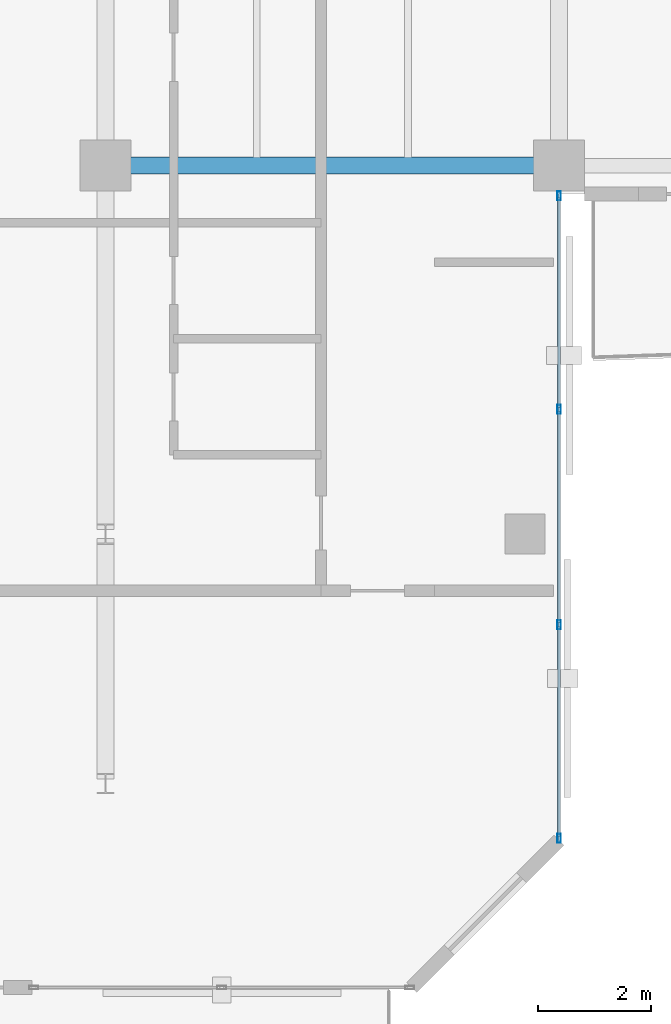
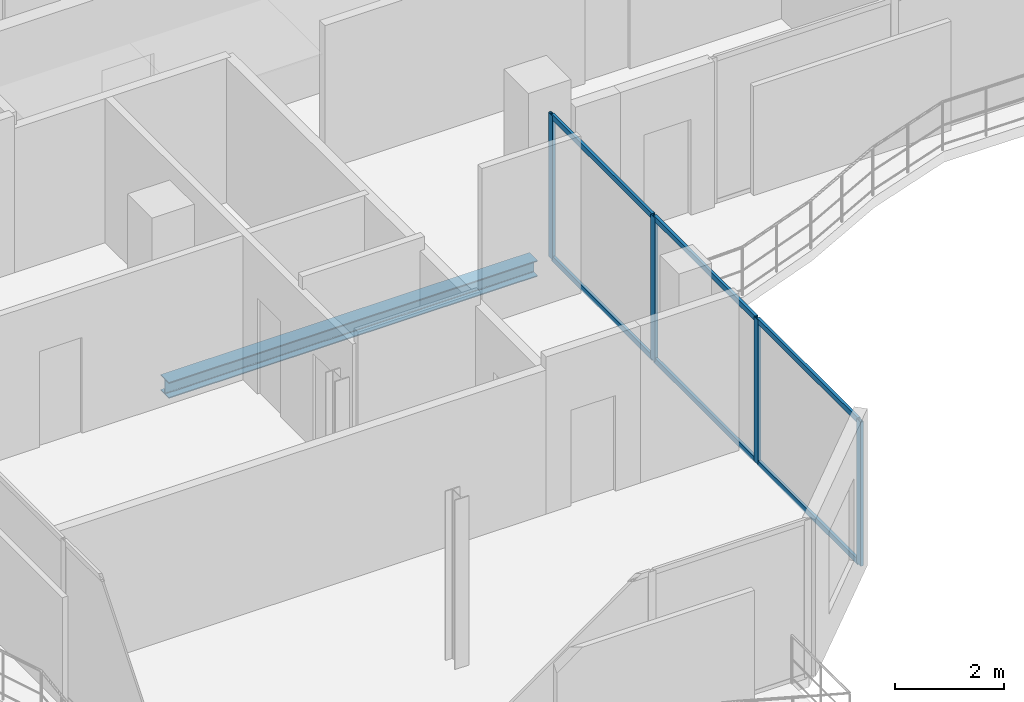
# One storey, part 4 of 17: 10 members, 1 beam, 1 element without a shape of its own.
"""IFC4 building model written with IfcOpenShell, lengths in metres."""

import ifcopenshell
import ifcopenshell.guid

model = None  # the IFC model being written
_history = None  # IfcOwnerHistory: only IFC2X3 demands one
_inside = {}  # id of a spatial element -> (the spatial element, [elements in it])
_under = {}  # id of a project, library or spatial element -> (it, [spatial elements below it])
_declared = {}  # id of a project -> (the project, [libraries it declares])
_typed = {}  # id of a type object -> (the type object, [elements of that type])
_made_of = {}  # id of a material, layer set ... -> (it, [elements and type objects made of it])


def new_model(schema):
    """Start an empty IFC model of exactly this schema.

    Asked for "IFC4X3", IfcOpenShell would pick the latest addendum, in which some entities
    have other attributes; the version numbers below select the first issue.
    IFC2X3 requires an IfcOwnerHistory on every rooted entity: one is made here for all.
    """
    global model, _history
    if schema == "IFC4X3":
        model = ifcopenshell.file(schema_version=(4, 3, 0, 0))
    else:
        model = ifcopenshell.file(schema=schema)
    _inside.clear()
    _under.clear()
    _declared.clear()
    _typed.clear()
    _made_of.clear()
    _history = None
    if model.schema == "IFC2X3":
        org = make("IfcOrganization", Name="unknown")
        user = make(
            "IfcPersonAndOrganization",
            ThePerson=make("IfcPerson", FamilyName="unknown"),
            TheOrganization=org,
        )
        app = make(
            "IfcApplication",
            ApplicationDeveloper=org,
            Version="unknown",
            ApplicationFullName="unknown",
            ApplicationIdentifier="unknown",
        )
        _history = make(
            "IfcOwnerHistory",
            OwningUser=user,
            OwningApplication=app,
            ChangeAction="ADDED",
            CreationDate=0,
        )
    return model


def make(cls, **values):
    """One entity of the class cls with the attributes given. An attribute that is None is left unset."""
    return model.create_entity(
        cls, **{name: value for name, value in values.items() if value is not None}
    )


def rooted(cls, **values):
    """An entity with a GlobalId (a new one), such as an element, a storey or a relation."""
    return make(cls, GlobalId=ifcopenshell.guid.new(), OwnerHistory=_history, **values)


def si_unit(unit_type, name, prefix=None):
    """IfcSIUnit, for example si_unit("LENGTHUNIT", "METRE", prefix="MILLI")."""
    return make("IfcSIUnit", UnitType=unit_type, Prefix=prefix, Name=name)


def assignment(units):
    """IfcUnitAssignment: the units of a project."""
    return None if units is None else make("IfcUnitAssignment", Units=units)


def point(xyz):
    """IfcCartesianPoint."""
    return None if xyz is None else make("IfcCartesianPoint", Coordinates=xyz)


def direction(xyz):
    """IfcDirection."""
    return None if xyz is None else make("IfcDirection", DirectionRatios=xyz)


def frame(location, z_axis=None, x_axis=None):
    """IfcAxis2Placement3D, a coordinate frame: its origin and axes. An axis left out is left unset."""
    return make(
        "IfcAxis2Placement3D",
        Location=point(location),
        Axis=direction(z_axis),
        RefDirection=direction(x_axis),
    )


def frame_2d(location, x_axis=None):
    """IfcAxis2Placement2D, a coordinate frame in the plane: its origin and x axis."""
    return make(
        "IfcAxis2Placement2D", Location=point(location), RefDirection=direction(x_axis)
    )


def origin():
    """The frame at (0, 0, 0) with its axes left unset."""
    return frame((0.0, 0.0, 0.0))


def origin_2d():
    """The frame at (0, 0) in the plane with its x axis left unset."""
    return frame_2d((0.0, 0.0))


def place(relative_to, where):
    """IfcLocalPlacement: puts the frame where relative to a parent placement (None: the world)."""
    return make(
        "IfcLocalPlacement", PlacementRelTo=relative_to, RelativePlacement=where
    )


def context(
    kind, dimensions, precision=None, world=None, true_north=None, identifier=None
):
    """IfcGeometricRepresentationContext, for example the 3D "Model" context."""
    return make(
        "IfcGeometricRepresentationContext",
        ContextIdentifier=identifier,
        ContextType=kind,
        CoordinateSpaceDimension=dimensions,
        Precision=precision,
        WorldCoordinateSystem=world,
        TrueNorth=true_north,
    )


def subcontext(parent, identifier, kind, view, scale=None):
    """IfcGeometricRepresentationSubContext, for example "Body" below "Model"."""
    return make(
        "IfcGeometricRepresentationSubContext",
        ContextIdentifier=identifier,
        ContextType=kind,
        ParentContext=parent,
        TargetScale=scale,
        TargetView=view,
    )


def project(units=None, contexts=None):
    """IfcProject with its units and contexts."""
    return rooted(
        "IfcProject",
        Name="project",
        RepresentationContexts=contexts,
        UnitsInContext=assignment(units),
    )


def spatial(cls, under=None, at=None, **own):
    """A site, building, storey or space (cls), placed at a placement, below another one or the project."""
    s = rooted(cls, ObjectPlacement=at, **own)
    if under is not None:
        _under.setdefault(under.id(), (under, []))[1].append(s)
    return s


def profile(cls, at=None, kind="AREA", **sizes):
    """A parametric profile (cls). Its sizes go by their IFC names, for example OverallWidth=200.0."""
    return make(cls, ProfileType=kind, Position=at, **sizes)


def hollow_rectangle(**sizes):
    """IfcRectangleHollowProfileDef."""
    return profile("IfcRectangleHollowProfileDef", **sizes)


def i_section(**sizes):
    """IfcIShapeProfileDef."""
    return profile("IfcIShapeProfileDef", **sizes)


def extrude(swept, where, along, depth):
    """IfcExtrudedAreaSolid: the profile swept, set in the frame where, extruded along a direction by depth."""
    return make(
        "IfcExtrudedAreaSolid",
        SweptArea=swept,
        Position=where,
        ExtrudedDirection=direction(along),
        Depth=depth,
    )


def shape(context_of_items, identifier, shape_type, items):
    """IfcShapeRepresentation: the items that make up one representation, for example the "Body"."""
    return make(
        "IfcShapeRepresentation",
        ContextOfItems=context_of_items,
        RepresentationIdentifier=identifier,
        RepresentationType=shape_type,
        Items=items,
    )


def material(Name=None, Category=None):
    """IfcMaterial."""
    return make("IfcMaterial", Name=Name, Category=Category)


def layer(
    of_material, thickness, ventilated=None, Name=None, Category=None, Priority=None
):
    """IfcMaterialLayer: one layer of a wall or slab, of a material (None: an air gap)."""
    return make(
        "IfcMaterialLayer",
        Material=of_material,
        LayerThickness=thickness,
        IsVentilated=ventilated,
        Name=Name,
        Category=Category,
        Priority=Priority,
    )


def layer_set(layers, Name=None):
    """IfcMaterialLayerSet."""
    return make("IfcMaterialLayerSet", MaterialLayers=layers, LayerSetName=Name)


def material_profile(
    of_material, cross_section, Name=None, Category=None, Priority=None
):
    """IfcMaterialProfile: a cross section and its material."""
    return make(
        "IfcMaterialProfile",
        Name=Name,
        Material=of_material,
        Profile=cross_section,
        Priority=Priority,
        Category=Category,
    )


def profile_set(profiles, Name=None, composite=None):
    """IfcMaterialProfileSet."""
    return make(
        "IfcMaterialProfileSet",
        Name=Name,
        MaterialProfiles=profiles,
        CompositeProfile=composite,
    )


def made_of(thing, what):
    """Note that an element or type object is made of a material, layer set ...; save() writes the relation."""
    if what is not None:
        _made_of.setdefault(what.id(), (what, []))[1].append(thing)
    return thing


def type_object(cls, material=None, **own):
    """A type object (cls), such as IfcWallType, which elements share."""
    return made_of(rooted(cls, **own), material)


def element(
    cls,
    number,
    at=None,
    inside=None,
    cuts=None,
    type_object=None,
    material=None,
    context=None,
    identifier="Body",
    shape_type=None,
    held_by="IfcProductDefinitionShape",
    body=None,
    shapes=None,
    **own,
):
    """One element of the class cls, such as IfcWall. Its Tag is "e" and its number.

    at: its placement. inside: the storey or other place that contains it. cuts: it is an
    opening in that element (IfcRelVoidsElement). A single representation is given by context,
    identifier, shape_type and body (its items); several are given by shapes. held_by: the class
    of the entity that holds the representations. save() writes the other relations.
    """
    e = rooted(cls, Tag="e%d" % number, ObjectPlacement=at, **own)
    if body is not None:
        shapes = [shape(context, identifier, shape_type, body)]
    if shapes is not None:
        e.Representation = make(held_by, Representations=shapes)
    if inside is not None:
        _inside.setdefault(inside.id(), (inside, []))[1].append(e)
    if cuts is not None:
        rooted(
            "IfcRelVoidsElement", RelatingBuildingElement=cuts, RelatedOpeningElement=e
        )
    if type_object is not None:
        _typed.setdefault(type_object.id(), (type_object, []))[1].append(e)
    return made_of(e, material)


def aggregate(whole, parts):
    """IfcRelAggregates: a whole, such as a stair, and the parts it consists of."""
    return rooted("IfcRelAggregates", RelatingObject=whole, RelatedObjects=parts)


def save(model, path):
    """Write the relations noted so far, then the file.

    IfcRelAggregates (storeys below a building ...), IfcRelContainedInSpatialStructure (elements
    in a storey), IfcRelDefinesByType, IfcRelAssociatesMaterial and IfcRelDeclares: one each for
    every whole, place, type object, material and project.
    """
    for whole, parts in _under.values():
        aggregate(whole, parts)
    for where, things in _inside.values():
        rooted(
            "IfcRelContainedInSpatialStructure",
            RelatedElements=things,
            RelatingStructure=where,
        )
    for kind, things in _typed.values():
        rooted("IfcRelDefinesByType", RelatedObjects=things, RelatingType=kind)
    for what, things in _made_of.values():
        rooted("IfcRelAssociatesMaterial", RelatedObjects=things, RelatingMaterial=what)
    for by, libraries in _declared.values():
        rooted("IfcRelDeclares", RelatingContext=by, RelatedDefinitions=libraries)
    model.write(path)


model = new_model("IFC4")

# Units and contexts
model_context = context("Model", 3, precision=1e-05, world=origin(), true_north=direction((0.0, 1.0)))
body_context = subcontext(model_context, "Body", "Model", "MODEL_VIEW")
ifc_project = project(units=[si_unit("LENGTHUNIT", "METRE"), si_unit("AREAUNIT", "SQUARE_METRE"), si_unit("VOLUMEUNIT", "CUBIC_METRE"), si_unit("PLANEANGLEUNIT", "RADIAN"), si_unit("MASSUNIT", "GRAM", prefix="KILO")], contexts=[model_context])

# Site, building, storey
site_placement = place(None, origin())
site = spatial("IfcSite", under=ifc_project, at=site_placement, CompositionType="ELEMENT")
building_placement = place(site_placement, origin())
building = spatial("IfcBuilding", under=site, at=building_placement, Name="Catumbela Crestline Tower", CompositionType="ELEMENT")
storey_placement = place(building_placement, frame((0.0, 0.0, 283.0)))
storey = spatial("IfcBuildingStorey", under=building, at=storey_placement, Name="L73", CompositionType="ELEMENT", Elevation=283.0)

# Beam
ifc_material_1 = material(Name="Structural steel S355J2", Category="steel")
ifc_material_profile_1 = material_profile(ifc_material_1, i_section(OverallWidth=0.3, OverallDepth=0.36, WebThickness=0.0125, FlangeThickness=0.0225, FilletRadius=0.027, at=origin_2d()), Name="HEB 360")
ifc_profile_set_1 = profile_set([ifc_material_profile_1], Name="Structural steel S355J2")
beam_type = type_object("IfcBeamType", Name="BG-HEB360", PredefinedType="BEAM", material=ifc_profile_set_1)
beam_placement = place(storey_placement, frame((16.08, 24.5, -0.44), z_axis=(1.0, 0.0, 0.0), x_axis=(0.0, 1.0, 0.0)))
element("IfcBeam", 1, at=beam_placement, inside=storey, type_object=beam_type, Name="L73 Beam BM-L73-S01", PredefinedType="BEAM", context=body_context, shape_type="SweptSolid", body=[
    extrude(i_section(OverallWidth=0.3, OverallDepth=0.36, WebThickness=0.0125, FlangeThickness=0.0225, FilletRadius=0.027, at=origin_2d()), origin(), (0.0, 0.0, 1.0), 7.84),
])

# Curtain wall, members
ifc_material_2 = material(Name="Aluminium alloy AW-6060-T66", Category="aluminium")
ifc_layer = layer(ifc_material_2, 0.18, Name="Aluminium alloy AW-6060-T66")
ifc_layer_set = layer_set([ifc_layer], Name="Aluminium alloy AW-6060-T66")
curtain_wall_type = type_object("IfcCurtainWallType", Name="CWU-Z4", PredefinedType="USERDEFINED", material=ifc_layer_set)
curtain_wall_placement = place(storey_placement, origin())
curtain_wall = element("IfcCurtainWall", 2, at=curtain_wall_placement, inside=storey, type_object=curtain_wall_type, Name="L73 Unitised Curtain Wall CW-L73-E2S1", ObjectType="UNITISED", PredefinedType="USERDEFINED")
ifc_material_profile_2 = material_profile(ifc_material_2, hollow_rectangle(XDim=0.06, YDim=0.16, WallThickness=0.004, at=origin_2d()), Name="ALU 160x60x4")
ifc_profile_set_2 = profile_set([ifc_material_profile_2], Name="Aluminium alloy AW-6060-T66")
member_type_1 = type_object("IfcMemberType", Name="MUL-160X60", PredefinedType="MULLION", material=ifc_profile_set_2)
member_1_placement = place(storey_placement, frame((24.0, 12.6325, 0.0), z_axis=(0.0, 0.0, 1.0), x_axis=(-1.0, 0.0, 0.0)))
member_1 = element("IfcMember", 3, at=member_1_placement, type_object=member_type_1, Name="CWU-Z4 mullion 1", PredefinedType="MULLION", context=body_context, shape_type="SweptSolid", body=[
    extrude(hollow_rectangle(XDim=0.06, YDim=0.16, WallThickness=0.004, at=origin_2d()), origin(), (0.0, 0.0, 1.0), 3.24),
])
member_2_placement = place(storey_placement, frame((24.0, 16.4, 0.0), z_axis=(0.0, 0.0, 1.0), x_axis=(-1.0, 0.0, 0.0)))
member_2 = element("IfcMember", 4, at=member_2_placement, type_object=member_type_1, Name="CWU-Z4 mullion 2", PredefinedType="MULLION", context=body_context, shape_type="SweptSolid", body=[
    extrude(hollow_rectangle(XDim=0.06, YDim=0.16, WallThickness=0.004, at=origin_2d()), origin(), (0.0, 0.0, 1.0), 3.24),
])
member_3_placement = place(storey_placement, frame((24.0, 20.2, 0.0), z_axis=(0.0, 0.0, 1.0), x_axis=(-1.0, 0.0, 0.0)))
member_3 = element("IfcMember", 5, at=member_3_placement, type_object=member_type_1, Name="CWU-Z4 mullion 3", PredefinedType="MULLION", context=body_context, shape_type="SweptSolid", body=[
    extrude(hollow_rectangle(XDim=0.06, YDim=0.16, WallThickness=0.004, at=origin_2d()), origin(), (0.0, 0.0, 1.0), 3.24),
])
member_4_placement = place(storey_placement, frame((24.0, 23.9675, 0.0), z_axis=(0.0, 0.0, 1.0), x_axis=(-1.0, 0.0, 0.0)))
member_4 = element("IfcMember", 6, at=member_4_placement, type_object=member_type_1, Name="CWU-Z4 mullion 4", PredefinedType="MULLION", context=body_context, shape_type="SweptSolid", body=[
    extrude(hollow_rectangle(XDim=0.06, YDim=0.16, WallThickness=0.004, at=origin_2d()), origin(), (0.0, 0.0, 1.0), 3.24),
])
ifc_material_profile_3 = material_profile(ifc_material_2, hollow_rectangle(XDim=0.06, YDim=0.12, WallThickness=0.0035, at=origin_2d()), Name="ALU 120x60x3.5")
ifc_profile_set_3 = profile_set([ifc_material_profile_3], Name="Aluminium alloy AW-6060-T66")
member_type_2 = type_object("IfcMemberType", Name="TRN-120X60", PredefinedType="USERDEFINED", material=ifc_profile_set_3)
member_5_placement = place(storey_placement, frame((24.0, 12.665, 0.03), z_axis=(0.0, 1.0, 0.0), x_axis=(-1.0, 0.0, 0.0)))
member_5 = element("IfcMember", 7, at=member_5_placement, type_object=member_type_2, Name="CWU-Z4 transom 1.1", ObjectType="TRANSOM", PredefinedType="USERDEFINED", context=body_context, shape_type="SweptSolid", body=[
    extrude(hollow_rectangle(XDim=0.06, YDim=0.12, WallThickness=0.0035, at=origin_2d()), origin(), (0.0, 0.0, 1.0), 3.7025),
])
member_6_placement = place(storey_placement, frame((24.0, 12.665, 3.21), z_axis=(0.0, 1.0, 0.0), x_axis=(-1.0, 0.0, 0.0)))
member_6 = element("IfcMember", 8, at=member_6_placement, type_object=member_type_2, Name="CWU-Z4 transom 1.2", ObjectType="TRANSOM", PredefinedType="USERDEFINED", context=body_context, shape_type="SweptSolid", body=[
    extrude(hollow_rectangle(XDim=0.06, YDim=0.12, WallThickness=0.0035, at=origin_2d()), origin(), (0.0, 0.0, 1.0), 3.7025),
])
member_7_placement = place(storey_placement, frame((24.0, 16.4325, 0.03), z_axis=(0.0, 1.0, 0.0), x_axis=(-1.0, 0.0, 0.0)))
member_7 = element("IfcMember", 9, at=member_7_placement, type_object=member_type_2, Name="CWU-Z4 transom 2.1", ObjectType="TRANSOM", PredefinedType="USERDEFINED", context=body_context, shape_type="SweptSolid", body=[
    extrude(hollow_rectangle(XDim=0.06, YDim=0.12, WallThickness=0.0035, at=origin_2d()), origin(), (0.0, 0.0, 1.0), 3.735),
])
member_8_placement = place(storey_placement, frame((24.0, 16.4325, 3.21), z_axis=(0.0, 1.0, 0.0), x_axis=(-1.0, 0.0, 0.0)))
member_8 = element("IfcMember", 10, at=member_8_placement, type_object=member_type_2, Name="CWU-Z4 transom 2.2", ObjectType="TRANSOM", PredefinedType="USERDEFINED", context=body_context, shape_type="SweptSolid", body=[
    extrude(hollow_rectangle(XDim=0.06, YDim=0.12, WallThickness=0.0035, at=origin_2d()), origin(), (0.0, 0.0, 1.0), 3.735),
])
member_9_placement = place(storey_placement, frame((24.0, 20.2325, 0.03), z_axis=(0.0, 1.0, 0.0), x_axis=(-1.0, 0.0, 0.0)))
member_9 = element("IfcMember", 11, at=member_9_placement, type_object=member_type_2, Name="CWU-Z4 transom 3.1", ObjectType="TRANSOM", PredefinedType="USERDEFINED", context=body_context, shape_type="SweptSolid", body=[
    extrude(hollow_rectangle(XDim=0.06, YDim=0.12, WallThickness=0.0035, at=origin_2d()), origin(), (0.0, 0.0, 1.0), 3.7025),
])
member_10_placement = place(storey_placement, frame((24.0, 20.2325, 3.21), z_axis=(0.0, 1.0, 0.0), x_axis=(-1.0, 0.0, 0.0)))
member_10 = element("IfcMember", 12, at=member_10_placement, type_object=member_type_2, Name="CWU-Z4 transom 3.2", ObjectType="TRANSOM", PredefinedType="USERDEFINED", context=body_context, shape_type="SweptSolid", body=[
    extrude(hollow_rectangle(XDim=0.06, YDim=0.12, WallThickness=0.0035, at=origin_2d()), origin(), (0.0, 0.0, 1.0), 3.7025),
])
aggregate(curtain_wall, [member_1, member_2, member_3, member_4, member_5, member_6, member_7, member_8, member_9, member_10])

save(model, "model.ifc")
